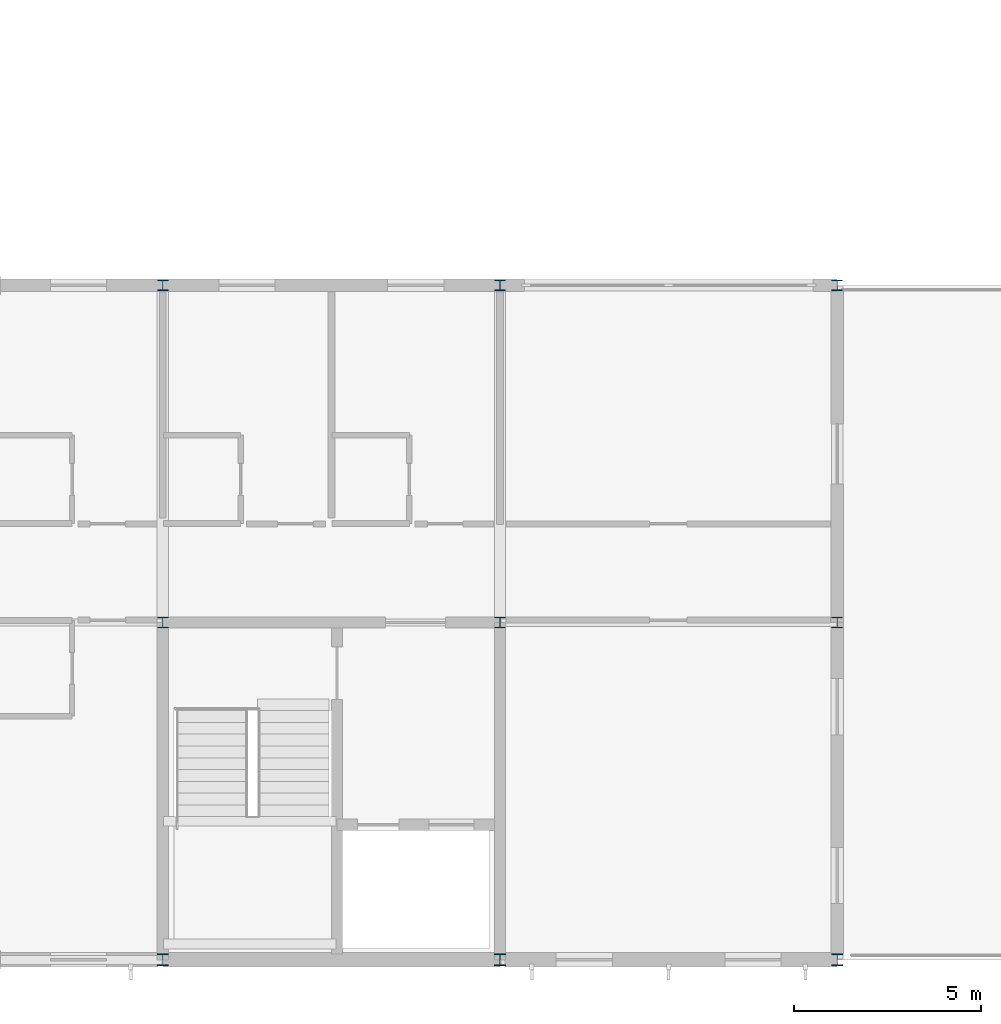
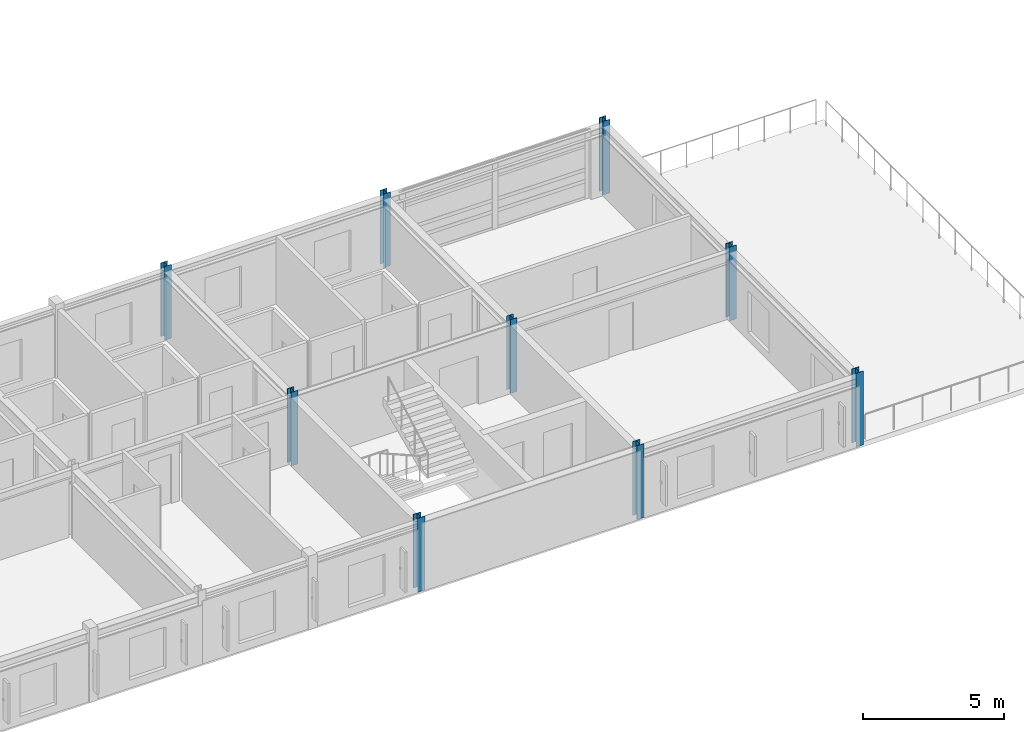
# One storey, part 3 of 18: 9 columns.
"""IFC4 building model written with IfcOpenShell, lengths in metres."""

from ifc_helpers import new_model, si_unit, direction, frame, origin, origin_2d, place, context, subcontext, project, spatial, i_section, extrude, material, material_profile, profile_set, type_object, element, save


model = new_model("IFC4")

# Units and contexts
model_context = context("Model", 3, precision=1e-05, world=origin(), true_north=direction((0.0, 1.0)))
body_context = subcontext(model_context, "Body", "Model", "MODEL_VIEW")
ifc_project = project(units=[si_unit("LENGTHUNIT", "METRE"), si_unit("AREAUNIT", "SQUARE_METRE"), si_unit("VOLUMEUNIT", "CUBIC_METRE"), si_unit("PLANEANGLEUNIT", "RADIAN"), si_unit("MASSUNIT", "GRAM", prefix="KILO")], contexts=[model_context])

# Site, building, storey
site_placement = place(None, origin())
site = spatial("IfcSite", under=ifc_project, at=site_placement, CompositionType="ELEMENT")
building_placement = place(site_placement, origin())
building = spatial("IfcBuilding", under=site, at=building_placement, Name="Palais des Congres Ocreval", CompositionType="ELEMENT")
storey_placement = place(building_placement, frame((0.0, 0.0, 23.679931640625)))
storey = spatial("IfcBuildingStorey", under=building, at=storey_placement, Name="L07", CompositionType="ELEMENT", Elevation=23.679931640625)

# Columns
ifc_material = material(Name="Steel S355", Category="steel")
ifc_material_profile_1 = material_profile(ifc_material, i_section(OverallWidth=0.280029296875, OverallDepth=0.280029296875, WebThickness=0.010498046875, FlangeThickness=0.01806640625, at=origin_2d()), Name="HEB 280")
ifc_profile_set_1 = profile_set([ifc_material_profile_1], Name="Steel S355")
column_type_1 = type_object("IfcColumnType", Name="Column HEB 280 Steel S355", PredefinedType="COLUMN", material=ifc_profile_set_1)
for number, where, z_axis, x_axis, name in (
    (1, (36.0, 9.0, 0.0), (0.0, 0.0, 1.0), (1.0, 0.0, 0.0), "Column C13 L07"),
    (2, (36.0, 18.0, 0.0), (0.0, 0.0, 1.0), (1.0, 0.0, 0.0), "Column C13 L07"),
    (3, (45.0, 9.0, 0.0), (0.0, 0.0, 1.0), (1.0, 0.0, 0.0), "Column C13 L07"),
    (4, (45.0, 18.0, 0.0), (0.0, 0.0, 1.0), (1.0, 0.0, 0.0), "Column C13 L07"),
    (5, (54.0, 9.0, 0.0), (0.0, 0.0, 1.0), (1.0, 0.0, 0.0), "Column C13 L07"),
    (6, (54.0, 18.0, 0.0), (0.0, 0.0, 1.0), (1.0, 0.0, 0.0), "Column C13 L07"),
):
    element("IfcColumn", number, at=place(storey_placement, frame(where, z_axis=z_axis, x_axis=x_axis)), inside=storey, type_object=column_type_1, Name=name, PredefinedType="COLUMN", context=body_context, shape_type="SweptSolid", body=[
        extrude(i_section(OverallWidth=0.280029296875, OverallDepth=0.280029296875, WebThickness=0.010498046875, FlangeThickness=0.01806640625, at=origin_2d()), origin(), (0.0, 0.0, 1.0), 3.199951171875),
    ])
ifc_material_profile_2 = material_profile(ifc_material, i_section(OverallWidth=0.300048828125, OverallDepth=0.320068359375, WebThickness=0.011474609375, FlangeThickness=0.0205078125, at=origin_2d()), Name="HEB 320")
ifc_profile_set_2 = profile_set([ifc_material_profile_2], Name="Steel S355")
column_type_2 = type_object("IfcColumnType", Name="Column HEB 320 Steel S355", PredefinedType="COLUMN", material=ifc_profile_set_2)
for number, where, z_axis, x_axis, name in (
    (7, (36.0, 0.0, 0.0), (0.0, 0.0, 1.0), (1.0, 0.0, 0.0), "Column C12 L07"),
    (8, (45.0, 0.0, 0.0), (0.0, 0.0, 1.0), (1.0, 0.0, 0.0), "Column C12 L07"),
    (9, (54.0, 0.0, 0.0), (0.0, 0.0, 1.0), (1.0, 0.0, 0.0), "Column C12 L07"),
):
    element("IfcColumn", number, at=place(storey_placement, frame(where, z_axis=z_axis, x_axis=x_axis)), inside=storey, type_object=column_type_2, Name=name, PredefinedType="COLUMN", context=body_context, shape_type="SweptSolid", body=[
        extrude(i_section(OverallWidth=0.300048828125, OverallDepth=0.320068359375, WebThickness=0.011474609375, FlangeThickness=0.0205078125, at=origin_2d()), origin(), (0.0, 0.0, 1.0), 3.199951171875),
    ])

save(model, "model.ifc")
